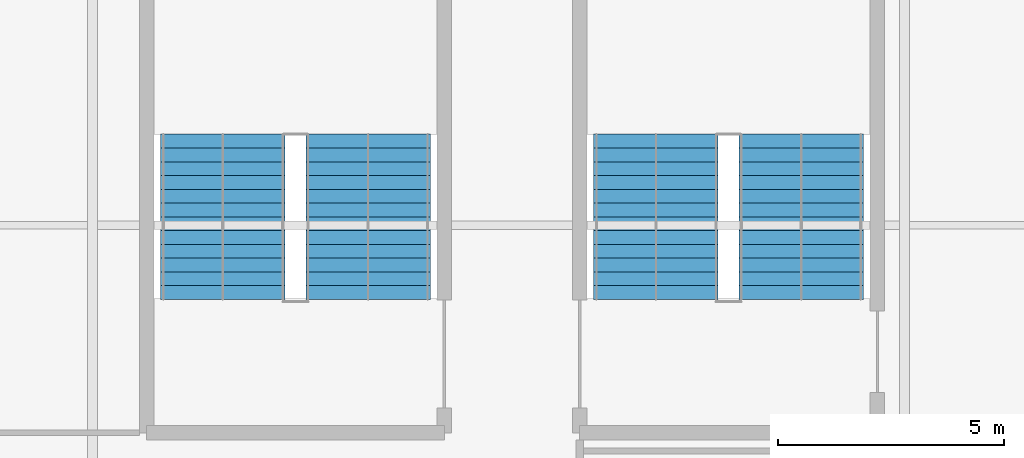
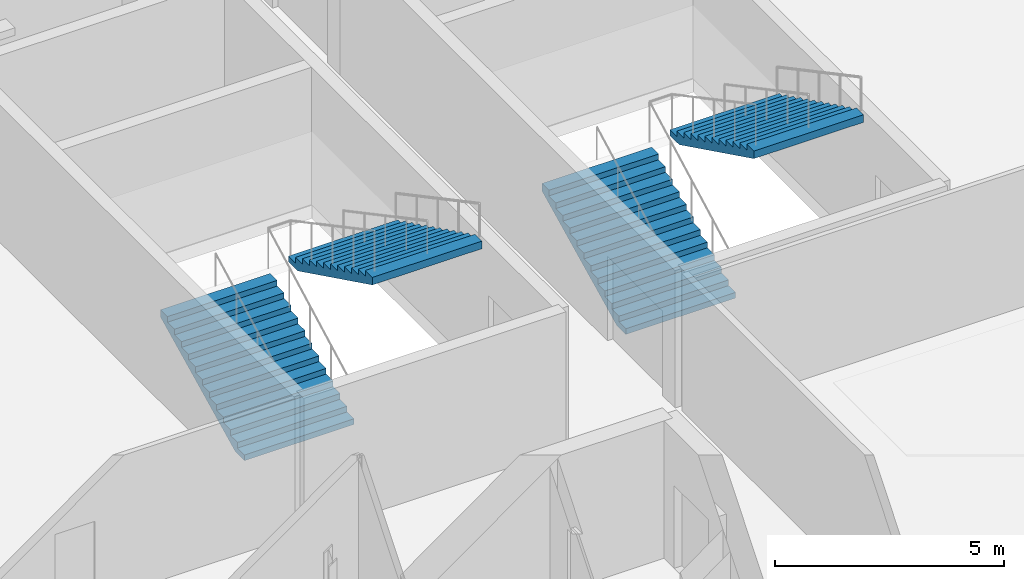
# One storey, part 26 of 35: 4 stair flights, 2 elements without a shape of their own.
"""IFC4 building model written with IfcOpenShell, lengths in metres."""

from ifc_helpers import new_model, si_unit, direction, frame, origin, place, context, subcontext, project, spatial, polygons, material, type_object, element, aggregate, save


model = new_model("IFC4")

# Units and contexts
model_context = context("Model", 3, precision=1e-05, world=origin(), true_north=direction((0.0, 1.0)))
body_context = subcontext(model_context, "Body", "Model", "MODEL_VIEW")
ifc_project = project(units=[si_unit("LENGTHUNIT", "METRE"), si_unit("AREAUNIT", "SQUARE_METRE"), si_unit("VOLUMEUNIT", "CUBIC_METRE"), si_unit("PLANEANGLEUNIT", "RADIAN"), si_unit("MASSUNIT", "GRAM", prefix="KILO")], contexts=[model_context])

# Site, building, storey
site_placement = place(None, origin())
site = spatial("IfcSite", under=ifc_project, at=site_placement, CompositionType="ELEMENT")
building_placement = place(site_placement, origin())
building = spatial("IfcBuilding", under=site, at=building_placement, Name="Kisiwana Market Hall", CompositionType="ELEMENT")
storey_placement = place(building_placement, frame((0.0, 0.0, 57.89990234375)))
storey = spatial("IfcBuildingStorey", under=building, at=storey_placement, Name="L13", CompositionType="ELEMENT", Elevation=57.89990234375)

# Stair, stair flights
ifc_material_1 = material(Name="Concrete C32/40", Category="concrete")
stair_type = type_object("IfcStairType", Name="ST-ESC-3900", PredefinedType="TWO_STRAIGHT_RUN_STAIR", material=ifc_material_1)
stair_1_placement = place(storey_placement, origin())
stair_1 = element("IfcStair", 1, at=stair_1_placement, inside=storey, type_object=stair_type, Name="Escape stair ST-W3-L13", PredefinedType="TWO_STRAIGHT_RUN_STAIR")
ifc_material_2 = material(Name="Concrete C32/40", Category="concrete")
stair_flight_type = type_object("IfcStairFlightType", Name="SF-ESC-3900", PredefinedType="STRAIGHT", material=ifc_material_2)
stair_flight_1_placement = place(storey_placement, frame((11.889892578125, 42.360107421875, 0.0), z_axis=(0.0, 0.0, 1.0), x_axis=(0.0, 1.0, 0.0)))
stair_flight_1 = element("IfcStairFlight", 2, at=stair_flight_1_placement, type_object=stair_flight_type, Name="ST-W3-L13 flight 1", NumberOfRisers=13, NumberOfTreads=12, PredefinedType="STRAIGHT", RiserHeight=0.15, TreadLength=0.305, context=body_context, shape_type="Tessellation", body=[
    polygons([(0.0, -1.380127, 0.0), (0.0, -0.690125, 0.0), (0.0, -0.000122, 0.0), (0.0, 0.68988, 0.0), (0.0, 1.379883, 0.0), (0.0, -1.380127, 0.149902), (0.0, -0.690125, 0.149902), (0.0, -0.000122, 0.149902), (0.0, 0.68988, 0.149902), (0.0, 1.379883, 0.149902), (0.304932, -1.380127, 0.149902), (0.304932, -0.690125, 0.149902), (0.304932, -0.000122, 0.149902), (0.304932, 0.68988, 0.149902), (0.304932, 1.379883, 0.149902), (0.304932, -1.380127, 0.300049), (0.304932, -0.690125, 0.300049), (0.304932, -0.000122, 0.300049), (0.304932, 0.68988, 0.300049), (0.304932, 1.379883, 0.300049), (0.610107, -1.380127, 0.300049), (0.610107, -0.690125, 0.300049), (0.610107, -0.000122, 0.300049), (0.610107, 0.68988, 0.300049), (0.610107, 1.379883, 0.300049), (0.610107, -1.380127, 0.449951), (0.610107, -0.690125, 0.449951), (0.610107, -0.000122, 0.449951), (0.610107, 0.68988, 0.449951), (0.610107, 1.379883, 0.449951), (0.915039, -1.380127, 0.449951), (0.915039, -0.690125, 0.449951), (0.915039, -0.000122, 0.449951), (0.915039, 0.68988, 0.449951), (0.915039, 1.379883, 0.449951), (0.915039, -1.380127, 0.600098), (0.915039, -0.690125, 0.600098), (0.915039, -0.000122, 0.600098), (0.915039, 0.68988, 0.600098), (0.915039, 1.379883, 0.600098), (1.219971, -1.380127, 0.600098), (1.219971, -0.690125, 0.600098), (1.219971, -0.000122, 0.600098), (1.219971, 0.68988, 0.600098), (1.219971, 1.379883, 0.600098), (1.219971, -1.380127, 0.75), (1.219971, -0.690125, 0.75), (1.219971, -0.000122, 0.75), (1.219971, 0.68988, 0.75), (1.219971, 1.379883, 0.75), (1.524902, -1.380127, 0.75), (1.524902, -0.690125, 0.75), (1.524902, -0.000122, 0.75), (1.524902, 0.68988, 0.75), (1.524902, 1.379883, 0.75), (1.524902, -1.380127, 0.899902), (1.524902, -0.690125, 0.899902), (1.524902, -0.000122, 0.899902), (1.524902, 0.68988, 0.899902), (1.524902, 1.379883, 0.899902), (1.830078, -1.380127, 0.899902), (1.830078, -0.690125, 0.899902), (1.830078, -0.000122, 0.899902), (1.830078, 0.68988, 0.899902), (1.830078, 1.379883, 0.899902), (1.830078, -1.380127, 1.050049), (1.830078, -0.690125, 1.050049), (1.830078, -0.000122, 1.050049), (1.830078, 0.68988, 1.050049), (1.830078, 1.379883, 1.050049), (2.13501, -1.380127, 1.050049), (2.13501, -0.690125, 1.050049), (2.13501, -0.000122, 1.050049), (2.13501, 0.68988, 1.050049), (2.13501, 1.379883, 1.050049), (2.13501, -1.380127, 1.199951), (2.13501, -0.690125, 1.199951), (2.13501, -0.000122, 1.199951), (2.13501, 0.68988, 1.199951), (2.13501, 1.379883, 1.199951), (2.439941, -1.380127, 1.199951), (2.439941, -0.690125, 1.199951), (2.439941, -0.000122, 1.199951), (2.439941, 0.68988, 1.199951), (2.439941, 1.379883, 1.199951), (2.439941, -1.380127, 1.350098), (2.439941, -0.690125, 1.350098), (2.439941, -0.000122, 1.350098), (2.439941, 0.68988, 1.350098), (2.439941, 1.379883, 1.350098), (2.745117, -1.380127, 1.350098), (2.745117, -0.690125, 1.350098), (2.745117, -0.000122, 1.350098), (2.745117, 0.68988, 1.350098), (2.745117, 1.379883, 1.350098), (2.745117, -1.380127, 1.5), (2.745117, -0.690125, 1.5), (2.745117, -0.000122, 1.5), (2.745117, 0.68988, 1.5), (2.745117, 1.379883, 1.5), (3.050049, -1.380127, 1.5), (3.050049, -0.690125, 1.5), (3.050049, -0.000122, 1.5), (3.050049, 0.68988, 1.5), (3.050049, 1.379883, 1.5), (3.050049, -1.380127, 1.649902), (3.050049, -0.690125, 1.649902), (3.050049, -0.000122, 1.649902), (3.050049, 0.68988, 1.649902), (3.050049, 1.379883, 1.649902), (3.35498, -1.380127, 1.649902), (3.35498, -0.690125, 1.649902), (3.35498, -0.000122, 1.649902), (3.35498, 0.68988, 1.649902), (3.35498, 1.379883, 1.649902), (3.35498, -1.380127, 1.800049), (3.35498, -0.690125, 1.800049), (3.35498, -0.000122, 1.800049), (3.35498, 0.68988, 1.800049), (3.35498, 1.379883, 1.800049), (3.659912, -1.380127, 1.800049), (3.659912, -0.690125, 1.800049), (3.659912, -0.000122, 1.800049), (3.659912, 0.68988, 1.800049), (3.659912, 1.379883, 1.800049), (3.659912, -1.380127, 1.599365), (3.659912, -0.690125, 1.599365), (3.659912, -0.000122, 1.599365), (3.659912, 0.68988, 1.599365), (3.659912, 1.379883, 1.599365), (0.407715, -1.380127, 0.0), (0.407715, -0.690125, 0.0), (0.407715, -0.000122, 0.0), (0.407715, 0.68988, 0.0), (0.407715, 1.379883, 0.0)], [[[1, 6, 7, 2]], [[2, 7, 8, 3]], [[3, 8, 9, 4]], [[4, 9, 10, 5]], [[6, 11, 12, 7]], [[7, 12, 13, 8]], [[8, 13, 14, 9]], [[9, 14, 15, 10]], [[11, 16, 17, 12]], [[12, 17, 18, 13]], [[13, 18, 19, 14]], [[14, 19, 20, 15]], [[16, 21, 22, 17]], [[17, 22, 23, 18]], [[18, 23, 24, 19]], [[19, 24, 25, 20]], [[21, 26, 27, 22]], [[22, 27, 28, 23]], [[23, 28, 29, 24]], [[24, 29, 30, 25]], [[26, 31, 32, 27]], [[27, 32, 33, 28]], [[28, 33, 34, 29]], [[29, 34, 35, 30]], [[31, 36, 37, 32]], [[32, 37, 38, 33]], [[33, 38, 39, 34]], [[34, 39, 40, 35]], [[36, 41, 42, 37]], [[37, 42, 43, 38]], [[38, 43, 44, 39]], [[39, 44, 45, 40]], [[41, 46, 47, 42]], [[42, 47, 48, 43]], [[43, 48, 49, 44]], [[44, 49, 50, 45]], [[46, 51, 52, 47]], [[47, 52, 53, 48]], [[48, 53, 54, 49]], [[49, 54, 55, 50]], [[51, 56, 57, 52]], [[52, 57, 58, 53]], [[53, 58, 59, 54]], [[54, 59, 60, 55]], [[56, 61, 62, 57]], [[57, 62, 63, 58]], [[58, 63, 64, 59]], [[59, 64, 65, 60]], [[61, 66, 67, 62]], [[62, 67, 68, 63]], [[63, 68, 69, 64]], [[64, 69, 70, 65]], [[66, 71, 72, 67]], [[67, 72, 73, 68]], [[68, 73, 74, 69]], [[69, 74, 75, 70]], [[71, 76, 77, 72]], [[72, 77, 78, 73]], [[73, 78, 79, 74]], [[74, 79, 80, 75]], [[76, 81, 82, 77]], [[77, 82, 83, 78]], [[78, 83, 84, 79]], [[79, 84, 85, 80]], [[81, 86, 87, 82]], [[82, 87, 88, 83]], [[83, 88, 89, 84]], [[84, 89, 90, 85]], [[86, 91, 92, 87]], [[87, 92, 93, 88]], [[88, 93, 94, 89]], [[89, 94, 95, 90]], [[91, 96, 97, 92]], [[92, 97, 98, 93]], [[93, 98, 99, 94]], [[94, 99, 100, 95]], [[96, 101, 102, 97]], [[97, 102, 103, 98]], [[98, 103, 104, 99]], [[99, 104, 105, 100]], [[101, 106, 107, 102]], [[102, 107, 108, 103]], [[103, 108, 109, 104]], [[104, 109, 110, 105]], [[106, 111, 112, 107]], [[107, 112, 113, 108]], [[108, 113, 114, 109]], [[109, 114, 115, 110]], [[111, 116, 117, 112]], [[112, 117, 118, 113]], [[113, 118, 119, 114]], [[114, 119, 120, 115]], [[116, 121, 122, 117]], [[117, 122, 123, 118]], [[118, 123, 124, 119]], [[119, 124, 125, 120]], [[121, 126, 127, 122]], [[122, 127, 128, 123]], [[123, 128, 129, 124]], [[124, 129, 130, 125]], [[126, 131, 132, 127]], [[127, 132, 133, 128]], [[128, 133, 134, 129]], [[129, 134, 135, 130]], [[131, 1, 2, 132]], [[132, 2, 3, 133]], [[133, 3, 4, 134]], [[134, 4, 5, 135]], [[131, 126, 121, 116, 111, 106, 101, 96, 91, 86, 81, 76, 71, 66, 61, 56, 51, 46, 41, 36, 31, 26, 21, 16, 11, 6, 1]], [[5, 10, 15, 20, 25, 30, 35, 40, 45, 50, 55, 60, 65, 70, 75, 80, 85, 90, 95, 100, 105, 110, 115, 120, 125, 130, 135]]], closed=True),
])
stair_flight_2_placement = place(storey_placement, frame((15.110107421875, 46.02001953125, 1.9501953125), z_axis=(0.0, 0.0, 1.0), x_axis=(0.0, -1.0, 0.0)))
stair_flight_2 = element("IfcStairFlight", 3, at=stair_flight_2_placement, type_object=stair_flight_type, Name="ST-W3-L13 flight 2", NumberOfRisers=13, NumberOfTreads=12, PredefinedType="STRAIGHT", RiserHeight=0.15, TreadLength=0.305, context=body_context, shape_type="Tessellation", body=[
    polygons([(0.0, -1.380127, 0.0), (0.0, -0.690125, 0.0), (0.0, -0.000122, 0.0), (0.0, 0.68988, 0.0), (0.0, 1.379883, 0.0), (0.0, -1.380127, 0.149902), (0.0, -0.690125, 0.149902), (0.0, -0.000122, 0.149902), (0.0, 0.68988, 0.149902), (0.0, 1.379883, 0.149902), (0.304932, -1.380127, 0.149902), (0.304932, -0.690125, 0.149902), (0.304932, -0.000122, 0.149902), (0.304932, 0.68988, 0.149902), (0.304932, 1.379883, 0.149902), (0.304932, -1.380127, 0.300049), (0.304932, -0.690125, 0.300049), (0.304932, -0.000122, 0.300049), (0.304932, 0.68988, 0.300049), (0.304932, 1.379883, 0.300049), (0.610107, -1.380127, 0.300049), (0.610107, -0.690125, 0.300049), (0.610107, -0.000122, 0.300049), (0.610107, 0.68988, 0.300049), (0.610107, 1.379883, 0.300049), (0.610107, -1.380127, 0.449951), (0.610107, -0.690125, 0.449951), (0.610107, -0.000122, 0.449951), (0.610107, 0.68988, 0.449951), (0.610107, 1.379883, 0.449951), (0.915039, -1.380127, 0.449951), (0.915039, -0.690125, 0.449951), (0.915039, -0.000122, 0.449951), (0.915039, 0.68988, 0.449951), (0.915039, 1.379883, 0.449951), (0.915039, -1.380127, 0.600098), (0.915039, -0.690125, 0.600098), (0.915039, -0.000122, 0.600098), (0.915039, 0.68988, 0.600098), (0.915039, 1.379883, 0.600098), (1.219971, -1.380127, 0.600098), (1.219971, -0.690125, 0.600098), (1.219971, -0.000122, 0.600098), (1.219971, 0.68988, 0.600098), (1.219971, 1.379883, 0.600098), (1.219971, -1.380127, 0.75), (1.219971, -0.690125, 0.75), (1.219971, -0.000122, 0.75), (1.219971, 0.68988, 0.75), (1.219971, 1.379883, 0.75), (1.524902, -1.380127, 0.75), (1.524902, -0.690125, 0.75), (1.524902, -0.000122, 0.75), (1.524902, 0.68988, 0.75), (1.524902, 1.379883, 0.75), (1.524902, -1.380127, 0.899902), (1.524902, -0.690125, 0.899902), (1.524902, -0.000122, 0.899902), (1.524902, 0.68988, 0.899902), (1.524902, 1.379883, 0.899902), (1.830078, -1.380127, 0.899902), (1.830078, -0.690125, 0.899902), (1.830078, -0.000122, 0.899902), (1.830078, 0.68988, 0.899902), (1.830078, 1.379883, 0.899902), (1.830078, -1.380127, 1.050049), (1.830078, -0.690125, 1.050049), (1.830078, -0.000122, 1.050049), (1.830078, 0.68988, 1.050049), (1.830078, 1.379883, 1.050049), (2.13501, -1.380127, 1.050049), (2.13501, -0.690125, 1.050049), (2.13501, -0.000122, 1.050049), (2.13501, 0.68988, 1.050049), (2.13501, 1.379883, 1.050049), (2.13501, -1.380127, 1.199951), (2.13501, -0.690125, 1.199951), (2.13501, -0.000122, 1.199951), (2.13501, 0.68988, 1.199951), (2.13501, 1.379883, 1.199951), (2.439941, -1.380127, 1.199951), (2.439941, -0.690125, 1.199951), (2.439941, -0.000122, 1.199951), (2.439941, 0.68988, 1.199951), (2.439941, 1.379883, 1.199951), (2.439941, -1.380127, 1.350098), (2.439941, -0.690125, 1.350098), (2.439941, -0.000122, 1.350098), (2.439941, 0.68988, 1.350098), (2.439941, 1.379883, 1.350098), (2.745117, -1.380127, 1.350098), (2.745117, -0.690125, 1.350098), (2.745117, -0.000122, 1.350098), (2.745117, 0.68988, 1.350098), (2.745117, 1.379883, 1.350098), (2.745117, -1.380127, 1.5), (2.745117, -0.690125, 1.5), (2.745117, -0.000122, 1.5), (2.745117, 0.68988, 1.5), (2.745117, 1.379883, 1.5), (3.050049, -1.380127, 1.5), (3.050049, -0.690125, 1.5), (3.050049, -0.000122, 1.5), (3.050049, 0.68988, 1.5), (3.050049, 1.379883, 1.5), (3.050049, -1.380127, 1.649902), (3.050049, -0.690125, 1.649902), (3.050049, -0.000122, 1.649902), (3.050049, 0.68988, 1.649902), (3.050049, 1.379883, 1.649902), (3.35498, -1.380127, 1.649902), (3.35498, -0.690125, 1.649902), (3.35498, -0.000122, 1.649902), (3.35498, 0.68988, 1.649902), (3.35498, 1.379883, 1.649902), (3.35498, -1.380127, 1.800049), (3.35498, -0.690125, 1.800049), (3.35498, -0.000122, 1.800049), (3.35498, 0.68988, 1.800049), (3.35498, 1.379883, 1.800049), (3.659912, -1.380127, 1.800049), (3.659912, -0.690125, 1.800049), (3.659912, -0.000122, 1.800049), (3.659912, 0.68988, 1.800049), (3.659912, 1.379883, 1.800049), (3.659912, -1.380127, 1.599365), (3.659912, -0.690125, 1.599365), (3.659912, -0.000122, 1.599365), (3.659912, 0.68988, 1.599365), (3.659912, 1.379883, 1.599365), (0.407715, -1.380127, 0.0), (0.407715, -0.690125, 0.0), (0.407715, -0.000122, 0.0), (0.407715, 0.68988, 0.0), (0.407715, 1.379883, 0.0)], [[[1, 6, 7, 2]], [[2, 7, 8, 3]], [[3, 8, 9, 4]], [[4, 9, 10, 5]], [[6, 11, 12, 7]], [[7, 12, 13, 8]], [[8, 13, 14, 9]], [[9, 14, 15, 10]], [[11, 16, 17, 12]], [[12, 17, 18, 13]], [[13, 18, 19, 14]], [[14, 19, 20, 15]], [[16, 21, 22, 17]], [[17, 22, 23, 18]], [[18, 23, 24, 19]], [[19, 24, 25, 20]], [[21, 26, 27, 22]], [[22, 27, 28, 23]], [[23, 28, 29, 24]], [[24, 29, 30, 25]], [[26, 31, 32, 27]], [[27, 32, 33, 28]], [[28, 33, 34, 29]], [[29, 34, 35, 30]], [[31, 36, 37, 32]], [[32, 37, 38, 33]], [[33, 38, 39, 34]], [[34, 39, 40, 35]], [[36, 41, 42, 37]], [[37, 42, 43, 38]], [[38, 43, 44, 39]], [[39, 44, 45, 40]], [[41, 46, 47, 42]], [[42, 47, 48, 43]], [[43, 48, 49, 44]], [[44, 49, 50, 45]], [[46, 51, 52, 47]], [[47, 52, 53, 48]], [[48, 53, 54, 49]], [[49, 54, 55, 50]], [[51, 56, 57, 52]], [[52, 57, 58, 53]], [[53, 58, 59, 54]], [[54, 59, 60, 55]], [[56, 61, 62, 57]], [[57, 62, 63, 58]], [[58, 63, 64, 59]], [[59, 64, 65, 60]], [[61, 66, 67, 62]], [[62, 67, 68, 63]], [[63, 68, 69, 64]], [[64, 69, 70, 65]], [[66, 71, 72, 67]], [[67, 72, 73, 68]], [[68, 73, 74, 69]], [[69, 74, 75, 70]], [[71, 76, 77, 72]], [[72, 77, 78, 73]], [[73, 78, 79, 74]], [[74, 79, 80, 75]], [[76, 81, 82, 77]], [[77, 82, 83, 78]], [[78, 83, 84, 79]], [[79, 84, 85, 80]], [[81, 86, 87, 82]], [[82, 87, 88, 83]], [[83, 88, 89, 84]], [[84, 89, 90, 85]], [[86, 91, 92, 87]], [[87, 92, 93, 88]], [[88, 93, 94, 89]], [[89, 94, 95, 90]], [[91, 96, 97, 92]], [[92, 97, 98, 93]], [[93, 98, 99, 94]], [[94, 99, 100, 95]], [[96, 101, 102, 97]], [[97, 102, 103, 98]], [[98, 103, 104, 99]], [[99, 104, 105, 100]], [[101, 106, 107, 102]], [[102, 107, 108, 103]], [[103, 108, 109, 104]], [[104, 109, 110, 105]], [[106, 111, 112, 107]], [[107, 112, 113, 108]], [[108, 113, 114, 109]], [[109, 114, 115, 110]], [[111, 116, 117, 112]], [[112, 117, 118, 113]], [[113, 118, 119, 114]], [[114, 119, 120, 115]], [[116, 121, 122, 117]], [[117, 122, 123, 118]], [[118, 123, 124, 119]], [[119, 124, 125, 120]], [[121, 126, 127, 122]], [[122, 127, 128, 123]], [[123, 128, 129, 124]], [[124, 129, 130, 125]], [[126, 131, 132, 127]], [[127, 132, 133, 128]], [[128, 133, 134, 129]], [[129, 134, 135, 130]], [[131, 1, 2, 132]], [[132, 2, 3, 133]], [[133, 3, 4, 134]], [[134, 4, 5, 135]], [[131, 126, 121, 116, 111, 106, 101, 96, 91, 86, 81, 76, 71, 66, 61, 56, 51, 46, 41, 36, 31, 26, 21, 16, 11, 6, 1]], [[5, 10, 15, 20, 25, 30, 35, 40, 45, 50, 55, 60, 65, 70, 75, 80, 85, 90, 95, 100, 105, 110, 115, 120, 125, 130, 135]]], closed=True),
])
aggregate(stair_1, [stair_flight_1, stair_flight_2])

stair_2_placement = place(storey_placement, origin())
stair_2 = element("IfcStair", 4, at=stair_2_placement, inside=storey, type_object=stair_type, Name="Escape stair ST-W7-L13", PredefinedType="TWO_STRAIGHT_RUN_STAIR")
stair_flight_3_placement = place(storey_placement, frame((21.489990234375, 42.360107421875, 0.0), z_axis=(0.0, 0.0, 1.0), x_axis=(0.0, 1.0, 0.0)))
stair_flight_3 = element("IfcStairFlight", 5, at=stair_flight_3_placement, type_object=stair_flight_type, Name="ST-W7-L13 flight 1", NumberOfRisers=13, NumberOfTreads=12, PredefinedType="STRAIGHT", RiserHeight=0.15, TreadLength=0.305, context=body_context, shape_type="Tessellation", body=[
    polygons([(0.0, -1.380127, 0.0), (0.0, -0.690125, 0.0), (0.0, -0.000122, 0.0), (0.0, 0.68988, 0.0), (0.0, 1.379883, 0.0), (0.0, -1.380127, 0.149902), (0.0, -0.690125, 0.149902), (0.0, -0.000122, 0.149902), (0.0, 0.68988, 0.149902), (0.0, 1.379883, 0.149902), (0.304932, -1.380127, 0.149902), (0.304932, -0.690125, 0.149902), (0.304932, -0.000122, 0.149902), (0.304932, 0.68988, 0.149902), (0.304932, 1.379883, 0.149902), (0.304932, -1.380127, 0.300049), (0.304932, -0.690125, 0.300049), (0.304932, -0.000122, 0.300049), (0.304932, 0.68988, 0.300049), (0.304932, 1.379883, 0.300049), (0.610107, -1.380127, 0.300049), (0.610107, -0.690125, 0.300049), (0.610107, -0.000122, 0.300049), (0.610107, 0.68988, 0.300049), (0.610107, 1.379883, 0.300049), (0.610107, -1.380127, 0.449951), (0.610107, -0.690125, 0.449951), (0.610107, -0.000122, 0.449951), (0.610107, 0.68988, 0.449951), (0.610107, 1.379883, 0.449951), (0.915039, -1.380127, 0.449951), (0.915039, -0.690125, 0.449951), (0.915039, -0.000122, 0.449951), (0.915039, 0.68988, 0.449951), (0.915039, 1.379883, 0.449951), (0.915039, -1.380127, 0.600098), (0.915039, -0.690125, 0.600098), (0.915039, -0.000122, 0.600098), (0.915039, 0.68988, 0.600098), (0.915039, 1.379883, 0.600098), (1.219971, -1.380127, 0.600098), (1.219971, -0.690125, 0.600098), (1.219971, -0.000122, 0.600098), (1.219971, 0.68988, 0.600098), (1.219971, 1.379883, 0.600098), (1.219971, -1.380127, 0.75), (1.219971, -0.690125, 0.75), (1.219971, -0.000122, 0.75), (1.219971, 0.68988, 0.75), (1.219971, 1.379883, 0.75), (1.524902, -1.380127, 0.75), (1.524902, -0.690125, 0.75), (1.524902, -0.000122, 0.75), (1.524902, 0.68988, 0.75), (1.524902, 1.379883, 0.75), (1.524902, -1.380127, 0.899902), (1.524902, -0.690125, 0.899902), (1.524902, -0.000122, 0.899902), (1.524902, 0.68988, 0.899902), (1.524902, 1.379883, 0.899902), (1.830078, -1.380127, 0.899902), (1.830078, -0.690125, 0.899902), (1.830078, -0.000122, 0.899902), (1.830078, 0.68988, 0.899902), (1.830078, 1.379883, 0.899902), (1.830078, -1.380127, 1.050049), (1.830078, -0.690125, 1.050049), (1.830078, -0.000122, 1.050049), (1.830078, 0.68988, 1.050049), (1.830078, 1.379883, 1.050049), (2.13501, -1.380127, 1.050049), (2.13501, -0.690125, 1.050049), (2.13501, -0.000122, 1.050049), (2.13501, 0.68988, 1.050049), (2.13501, 1.379883, 1.050049), (2.13501, -1.380127, 1.199951), (2.13501, -0.690125, 1.199951), (2.13501, -0.000122, 1.199951), (2.13501, 0.68988, 1.199951), (2.13501, 1.379883, 1.199951), (2.439941, -1.380127, 1.199951), (2.439941, -0.690125, 1.199951), (2.439941, -0.000122, 1.199951), (2.439941, 0.68988, 1.199951), (2.439941, 1.379883, 1.199951), (2.439941, -1.380127, 1.350098), (2.439941, -0.690125, 1.350098), (2.439941, -0.000122, 1.350098), (2.439941, 0.68988, 1.350098), (2.439941, 1.379883, 1.350098), (2.745117, -1.380127, 1.350098), (2.745117, -0.690125, 1.350098), (2.745117, -0.000122, 1.350098), (2.745117, 0.68988, 1.350098), (2.745117, 1.379883, 1.350098), (2.745117, -1.380127, 1.5), (2.745117, -0.690125, 1.5), (2.745117, -0.000122, 1.5), (2.745117, 0.68988, 1.5), (2.745117, 1.379883, 1.5), (3.050049, -1.380127, 1.5), (3.050049, -0.690125, 1.5), (3.050049, -0.000122, 1.5), (3.050049, 0.68988, 1.5), (3.050049, 1.379883, 1.5), (3.050049, -1.380127, 1.649902), (3.050049, -0.690125, 1.649902), (3.050049, -0.000122, 1.649902), (3.050049, 0.68988, 1.649902), (3.050049, 1.379883, 1.649902), (3.35498, -1.380127, 1.649902), (3.35498, -0.690125, 1.649902), (3.35498, -0.000122, 1.649902), (3.35498, 0.68988, 1.649902), (3.35498, 1.379883, 1.649902), (3.35498, -1.380127, 1.800049), (3.35498, -0.690125, 1.800049), (3.35498, -0.000122, 1.800049), (3.35498, 0.68988, 1.800049), (3.35498, 1.379883, 1.800049), (3.659912, -1.380127, 1.800049), (3.659912, -0.690125, 1.800049), (3.659912, -0.000122, 1.800049), (3.659912, 0.68988, 1.800049), (3.659912, 1.379883, 1.800049), (3.659912, -1.380127, 1.599365), (3.659912, -0.690125, 1.599365), (3.659912, -0.000122, 1.599365), (3.659912, 0.68988, 1.599365), (3.659912, 1.379883, 1.599365), (0.407715, -1.380127, 0.0), (0.407715, -0.690125, 0.0), (0.407715, -0.000122, 0.0), (0.407715, 0.68988, 0.0), (0.407715, 1.379883, 0.0)], [[[1, 6, 7, 2]], [[2, 7, 8, 3]], [[3, 8, 9, 4]], [[4, 9, 10, 5]], [[6, 11, 12, 7]], [[7, 12, 13, 8]], [[8, 13, 14, 9]], [[9, 14, 15, 10]], [[11, 16, 17, 12]], [[12, 17, 18, 13]], [[13, 18, 19, 14]], [[14, 19, 20, 15]], [[16, 21, 22, 17]], [[17, 22, 23, 18]], [[18, 23, 24, 19]], [[19, 24, 25, 20]], [[21, 26, 27, 22]], [[22, 27, 28, 23]], [[23, 28, 29, 24]], [[24, 29, 30, 25]], [[26, 31, 32, 27]], [[27, 32, 33, 28]], [[28, 33, 34, 29]], [[29, 34, 35, 30]], [[31, 36, 37, 32]], [[32, 37, 38, 33]], [[33, 38, 39, 34]], [[34, 39, 40, 35]], [[36, 41, 42, 37]], [[37, 42, 43, 38]], [[38, 43, 44, 39]], [[39, 44, 45, 40]], [[41, 46, 47, 42]], [[42, 47, 48, 43]], [[43, 48, 49, 44]], [[44, 49, 50, 45]], [[46, 51, 52, 47]], [[47, 52, 53, 48]], [[48, 53, 54, 49]], [[49, 54, 55, 50]], [[51, 56, 57, 52]], [[52, 57, 58, 53]], [[53, 58, 59, 54]], [[54, 59, 60, 55]], [[56, 61, 62, 57]], [[57, 62, 63, 58]], [[58, 63, 64, 59]], [[59, 64, 65, 60]], [[61, 66, 67, 62]], [[62, 67, 68, 63]], [[63, 68, 69, 64]], [[64, 69, 70, 65]], [[66, 71, 72, 67]], [[67, 72, 73, 68]], [[68, 73, 74, 69]], [[69, 74, 75, 70]], [[71, 76, 77, 72]], [[72, 77, 78, 73]], [[73, 78, 79, 74]], [[74, 79, 80, 75]], [[76, 81, 82, 77]], [[77, 82, 83, 78]], [[78, 83, 84, 79]], [[79, 84, 85, 80]], [[81, 86, 87, 82]], [[82, 87, 88, 83]], [[83, 88, 89, 84]], [[84, 89, 90, 85]], [[86, 91, 92, 87]], [[87, 92, 93, 88]], [[88, 93, 94, 89]], [[89, 94, 95, 90]], [[91, 96, 97, 92]], [[92, 97, 98, 93]], [[93, 98, 99, 94]], [[94, 99, 100, 95]], [[96, 101, 102, 97]], [[97, 102, 103, 98]], [[98, 103, 104, 99]], [[99, 104, 105, 100]], [[101, 106, 107, 102]], [[102, 107, 108, 103]], [[103, 108, 109, 104]], [[104, 109, 110, 105]], [[106, 111, 112, 107]], [[107, 112, 113, 108]], [[108, 113, 114, 109]], [[109, 114, 115, 110]], [[111, 116, 117, 112]], [[112, 117, 118, 113]], [[113, 118, 119, 114]], [[114, 119, 120, 115]], [[116, 121, 122, 117]], [[117, 122, 123, 118]], [[118, 123, 124, 119]], [[119, 124, 125, 120]], [[121, 126, 127, 122]], [[122, 127, 128, 123]], [[123, 128, 129, 124]], [[124, 129, 130, 125]], [[126, 131, 132, 127]], [[127, 132, 133, 128]], [[128, 133, 134, 129]], [[129, 134, 135, 130]], [[131, 1, 2, 132]], [[132, 2, 3, 133]], [[133, 3, 4, 134]], [[134, 4, 5, 135]], [[131, 126, 121, 116, 111, 106, 101, 96, 91, 86, 81, 76, 71, 66, 61, 56, 51, 46, 41, 36, 31, 26, 21, 16, 11, 6, 1]], [[5, 10, 15, 20, 25, 30, 35, 40, 45, 50, 55, 60, 65, 70, 75, 80, 85, 90, 95, 100, 105, 110, 115, 120, 125, 130, 135]]], closed=True),
])
stair_flight_4_placement = place(storey_placement, frame((24.7099609375, 46.02001953125, 1.9501953125), z_axis=(0.0, 0.0, 1.0), x_axis=(0.0, -1.0, 0.0)))
stair_flight_4 = element("IfcStairFlight", 6, at=stair_flight_4_placement, type_object=stair_flight_type, Name="ST-W7-L13 flight 2", NumberOfRisers=13, NumberOfTreads=12, PredefinedType="STRAIGHT", RiserHeight=0.15, TreadLength=0.305, context=body_context, shape_type="Tessellation", body=[
    polygons([(0.0, -1.380127, 0.0), (0.0, -0.690125, 0.0), (0.0, -0.000122, 0.0), (0.0, 0.68988, 0.0), (0.0, 1.379883, 0.0), (0.0, -1.380127, 0.149902), (0.0, -0.690125, 0.149902), (0.0, -0.000122, 0.149902), (0.0, 0.68988, 0.149902), (0.0, 1.379883, 0.149902), (0.304932, -1.380127, 0.149902), (0.304932, -0.690125, 0.149902), (0.304932, -0.000122, 0.149902), (0.304932, 0.68988, 0.149902), (0.304932, 1.379883, 0.149902), (0.304932, -1.380127, 0.300049), (0.304932, -0.690125, 0.300049), (0.304932, -0.000122, 0.300049), (0.304932, 0.68988, 0.300049), (0.304932, 1.379883, 0.300049), (0.610107, -1.380127, 0.300049), (0.610107, -0.690125, 0.300049), (0.610107, -0.000122, 0.300049), (0.610107, 0.68988, 0.300049), (0.610107, 1.379883, 0.300049), (0.610107, -1.380127, 0.449951), (0.610107, -0.690125, 0.449951), (0.610107, -0.000122, 0.449951), (0.610107, 0.68988, 0.449951), (0.610107, 1.379883, 0.449951), (0.915039, -1.380127, 0.449951), (0.915039, -0.690125, 0.449951), (0.915039, -0.000122, 0.449951), (0.915039, 0.68988, 0.449951), (0.915039, 1.379883, 0.449951), (0.915039, -1.380127, 0.600098), (0.915039, -0.690125, 0.600098), (0.915039, -0.000122, 0.600098), (0.915039, 0.68988, 0.600098), (0.915039, 1.379883, 0.600098), (1.219971, -1.380127, 0.600098), (1.219971, -0.690125, 0.600098), (1.219971, -0.000122, 0.600098), (1.219971, 0.68988, 0.600098), (1.219971, 1.379883, 0.600098), (1.219971, -1.380127, 0.75), (1.219971, -0.690125, 0.75), (1.219971, -0.000122, 0.75), (1.219971, 0.68988, 0.75), (1.219971, 1.379883, 0.75), (1.524902, -1.380127, 0.75), (1.524902, -0.690125, 0.75), (1.524902, -0.000122, 0.75), (1.524902, 0.68988, 0.75), (1.524902, 1.379883, 0.75), (1.524902, -1.380127, 0.899902), (1.524902, -0.690125, 0.899902), (1.524902, -0.000122, 0.899902), (1.524902, 0.68988, 0.899902), (1.524902, 1.379883, 0.899902), (1.830078, -1.380127, 0.899902), (1.830078, -0.690125, 0.899902), (1.830078, -0.000122, 0.899902), (1.830078, 0.68988, 0.899902), (1.830078, 1.379883, 0.899902), (1.830078, -1.380127, 1.050049), (1.830078, -0.690125, 1.050049), (1.830078, -0.000122, 1.050049), (1.830078, 0.68988, 1.050049), (1.830078, 1.379883, 1.050049), (2.13501, -1.380127, 1.050049), (2.13501, -0.690125, 1.050049), (2.13501, -0.000122, 1.050049), (2.13501, 0.68988, 1.050049), (2.13501, 1.379883, 1.050049), (2.13501, -1.380127, 1.199951), (2.13501, -0.690125, 1.199951), (2.13501, -0.000122, 1.199951), (2.13501, 0.68988, 1.199951), (2.13501, 1.379883, 1.199951), (2.439941, -1.380127, 1.199951), (2.439941, -0.690125, 1.199951), (2.439941, -0.000122, 1.199951), (2.439941, 0.68988, 1.199951), (2.439941, 1.379883, 1.199951), (2.439941, -1.380127, 1.350098), (2.439941, -0.690125, 1.350098), (2.439941, -0.000122, 1.350098), (2.439941, 0.68988, 1.350098), (2.439941, 1.379883, 1.350098), (2.745117, -1.380127, 1.350098), (2.745117, -0.690125, 1.350098), (2.745117, -0.000122, 1.350098), (2.745117, 0.68988, 1.350098), (2.745117, 1.379883, 1.350098), (2.745117, -1.380127, 1.5), (2.745117, -0.690125, 1.5), (2.745117, -0.000122, 1.5), (2.745117, 0.68988, 1.5), (2.745117, 1.379883, 1.5), (3.050049, -1.380127, 1.5), (3.050049, -0.690125, 1.5), (3.050049, -0.000122, 1.5), (3.050049, 0.68988, 1.5), (3.050049, 1.379883, 1.5), (3.050049, -1.380127, 1.649902), (3.050049, -0.690125, 1.649902), (3.050049, -0.000122, 1.649902), (3.050049, 0.68988, 1.649902), (3.050049, 1.379883, 1.649902), (3.35498, -1.380127, 1.649902), (3.35498, -0.690125, 1.649902), (3.35498, -0.000122, 1.649902), (3.35498, 0.68988, 1.649902), (3.35498, 1.379883, 1.649902), (3.35498, -1.380127, 1.800049), (3.35498, -0.690125, 1.800049), (3.35498, -0.000122, 1.800049), (3.35498, 0.68988, 1.800049), (3.35498, 1.379883, 1.800049), (3.659912, -1.380127, 1.800049), (3.659912, -0.690125, 1.800049), (3.659912, -0.000122, 1.800049), (3.659912, 0.68988, 1.800049), (3.659912, 1.379883, 1.800049), (3.659912, -1.380127, 1.599365), (3.659912, -0.690125, 1.599365), (3.659912, -0.000122, 1.599365), (3.659912, 0.68988, 1.599365), (3.659912, 1.379883, 1.599365), (0.407715, -1.380127, 0.0), (0.407715, -0.690125, 0.0), (0.407715, -0.000122, 0.0), (0.407715, 0.68988, 0.0), (0.407715, 1.379883, 0.0)], [[[1, 6, 7, 2]], [[2, 7, 8, 3]], [[3, 8, 9, 4]], [[4, 9, 10, 5]], [[6, 11, 12, 7]], [[7, 12, 13, 8]], [[8, 13, 14, 9]], [[9, 14, 15, 10]], [[11, 16, 17, 12]], [[12, 17, 18, 13]], [[13, 18, 19, 14]], [[14, 19, 20, 15]], [[16, 21, 22, 17]], [[17, 22, 23, 18]], [[18, 23, 24, 19]], [[19, 24, 25, 20]], [[21, 26, 27, 22]], [[22, 27, 28, 23]], [[23, 28, 29, 24]], [[24, 29, 30, 25]], [[26, 31, 32, 27]], [[27, 32, 33, 28]], [[28, 33, 34, 29]], [[29, 34, 35, 30]], [[31, 36, 37, 32]], [[32, 37, 38, 33]], [[33, 38, 39, 34]], [[34, 39, 40, 35]], [[36, 41, 42, 37]], [[37, 42, 43, 38]], [[38, 43, 44, 39]], [[39, 44, 45, 40]], [[41, 46, 47, 42]], [[42, 47, 48, 43]], [[43, 48, 49, 44]], [[44, 49, 50, 45]], [[46, 51, 52, 47]], [[47, 52, 53, 48]], [[48, 53, 54, 49]], [[49, 54, 55, 50]], [[51, 56, 57, 52]], [[52, 57, 58, 53]], [[53, 58, 59, 54]], [[54, 59, 60, 55]], [[56, 61, 62, 57]], [[57, 62, 63, 58]], [[58, 63, 64, 59]], [[59, 64, 65, 60]], [[61, 66, 67, 62]], [[62, 67, 68, 63]], [[63, 68, 69, 64]], [[64, 69, 70, 65]], [[66, 71, 72, 67]], [[67, 72, 73, 68]], [[68, 73, 74, 69]], [[69, 74, 75, 70]], [[71, 76, 77, 72]], [[72, 77, 78, 73]], [[73, 78, 79, 74]], [[74, 79, 80, 75]], [[76, 81, 82, 77]], [[77, 82, 83, 78]], [[78, 83, 84, 79]], [[79, 84, 85, 80]], [[81, 86, 87, 82]], [[82, 87, 88, 83]], [[83, 88, 89, 84]], [[84, 89, 90, 85]], [[86, 91, 92, 87]], [[87, 92, 93, 88]], [[88, 93, 94, 89]], [[89, 94, 95, 90]], [[91, 96, 97, 92]], [[92, 97, 98, 93]], [[93, 98, 99, 94]], [[94, 99, 100, 95]], [[96, 101, 102, 97]], [[97, 102, 103, 98]], [[98, 103, 104, 99]], [[99, 104, 105, 100]], [[101, 106, 107, 102]], [[102, 107, 108, 103]], [[103, 108, 109, 104]], [[104, 109, 110, 105]], [[106, 111, 112, 107]], [[107, 112, 113, 108]], [[108, 113, 114, 109]], [[109, 114, 115, 110]], [[111, 116, 117, 112]], [[112, 117, 118, 113]], [[113, 118, 119, 114]], [[114, 119, 120, 115]], [[116, 121, 122, 117]], [[117, 122, 123, 118]], [[118, 123, 124, 119]], [[119, 124, 125, 120]], [[121, 126, 127, 122]], [[122, 127, 128, 123]], [[123, 128, 129, 124]], [[124, 129, 130, 125]], [[126, 131, 132, 127]], [[127, 132, 133, 128]], [[128, 133, 134, 129]], [[129, 134, 135, 130]], [[131, 1, 2, 132]], [[132, 2, 3, 133]], [[133, 3, 4, 134]], [[134, 4, 5, 135]], [[131, 126, 121, 116, 111, 106, 101, 96, 91, 86, 81, 76, 71, 66, 61, 56, 51, 46, 41, 36, 31, 26, 21, 16, 11, 6, 1]], [[5, 10, 15, 20, 25, 30, 35, 40, 45, 50, 55, 60, 65, 70, 75, 80, 85, 90, 95, 100, 105, 110, 115, 120, 125, 130, 135]]], closed=True),
])
aggregate(stair_2, [stair_flight_3, stair_flight_4])

save(model, "model.ifc")
